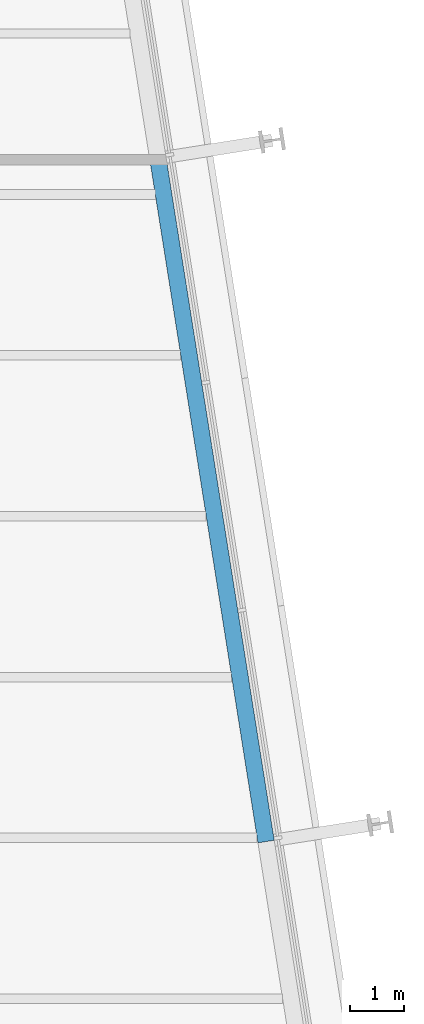
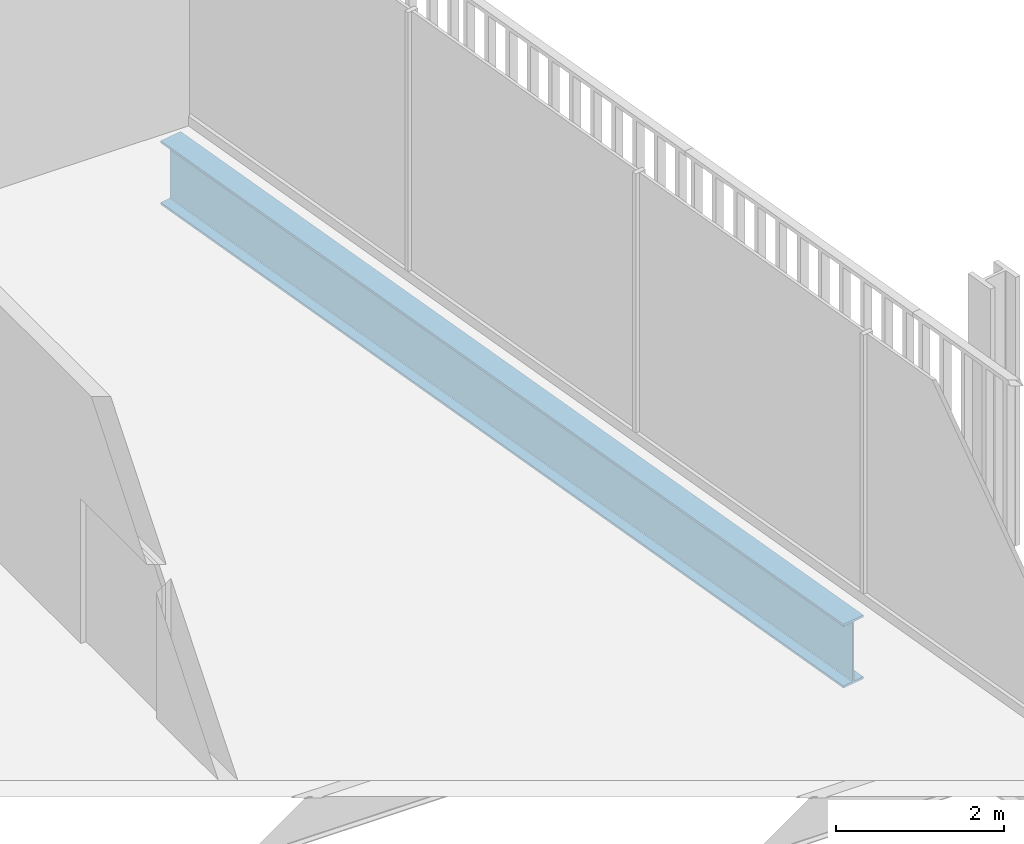
# One storey, part 9 of 21: 1 beam.
"""IFC4 building model written with IfcOpenShell, lengths in metres."""

from ifc_helpers import new_model, si_unit, direction, frame, origin, origin_2d, place, context, subcontext, project, spatial, i_section, extrude, material, material_profile, profile_set, type_object, element, save


model = new_model("IFC4")

# Units and contexts
model_context = context("Model", 3, precision=1e-05, world=origin(), true_north=direction((0.0, 1.0)))
body_context = subcontext(model_context, "Body", "Model", "MODEL_VIEW")
ifc_project = project(units=[si_unit("LENGTHUNIT", "METRE"), si_unit("AREAUNIT", "SQUARE_METRE"), si_unit("VOLUMEUNIT", "CUBIC_METRE"), si_unit("PLANEANGLEUNIT", "RADIAN"), si_unit("MASSUNIT", "GRAM", prefix="KILO")], contexts=[model_context])

# Site, building, storey
site_placement = place(None, origin())
site = spatial("IfcSite", under=ifc_project, at=site_placement, CompositionType="ELEMENT")
building_placement = place(site_placement, origin())
building = spatial("IfcBuilding", under=site, at=building_placement, Name="Millrace Tower", CompositionType="ELEMENT")
storey_placement = place(building_placement, frame((0.0, 0.0, 164.60009765625)))
storey = spatial("IfcBuildingStorey", under=building, at=storey_placement, Name="L37", CompositionType="ELEMENT", Elevation=164.60009765625)

# Beam
ifc_material = material(Name="Steel ASTM A992 Grade 50", Category="steel")
ifc_material_profile = material_profile(ifc_material, i_section(OverallWidth=0.307373046875, OverallDepth=0.927001953125, WebThickness=0.01953125, FlangeThickness=0.031982421875, FilletRadius=0.01904296875, at=origin_2d()))
ifc_profile_set = profile_set([ifc_material_profile], Name="Steel ASTM A992 Grade 50")
beam_type = type_object("IfcBeamType", Name="Ring beam medium span W36x194", PredefinedType="SPANDREL", material=ifc_profile_set)
beam_placement = place(storey_placement, frame((23.25, 9.6728515625, -0.62353515625), z_axis=(0.15642030113, -0.987690583834, 0.0), x_axis=(0.987690583834, 0.15642030113, 0.0)))
element("IfcBeam", 1, at=beam_placement, inside=storey, type_object=beam_type, Name="RNG-C-L37-S1-10", PredefinedType="SPANDREL", context=body_context, shape_type="SweptSolid", body=[
    extrude(i_section(OverallWidth=0.307373046875, OverallDepth=0.927001953125, WebThickness=0.01953125, FlangeThickness=0.031982421875, FilletRadius=0.01904296875, at=origin_2d()), origin(), (0.0, 0.0, 1.0), 12.89990234375),
])

save(model, "model.ifc")
